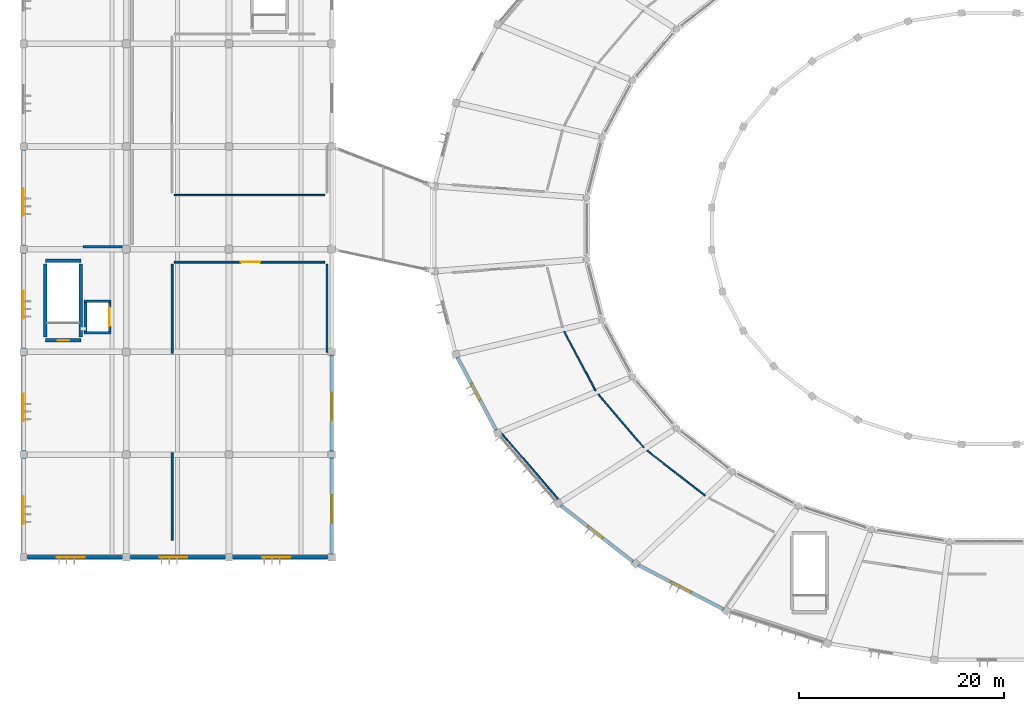
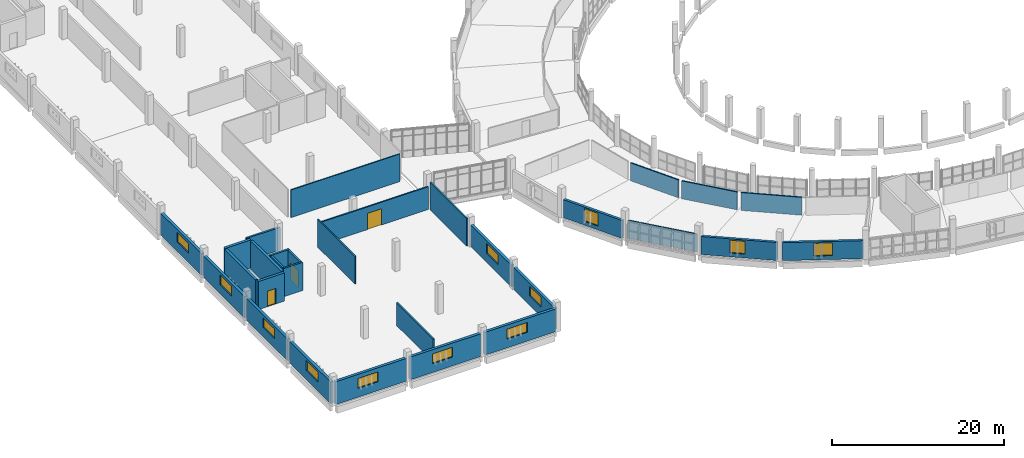
# One storey, part 95 of 142: 30 walls, 12 windows, 3 doors, 15 openings.
"""IFC4 building model written with IfcOpenShell, lengths in metres."""

from ifc_helpers import new_model, si_unit, direction, frame, frame_2d, origin, place, context, subcontext, project, spatial, rectangle, extrude, material, layer, layer_set, type_object, element, fill, save


model = new_model("IFC4")

# Units and contexts
model_context = context("Model", 3, precision=1e-05, world=origin(), true_north=direction((0.0, 1.0)))
body_context = subcontext(model_context, "Body", "Model", "MODEL_VIEW")
ifc_project = project(units=[si_unit("LENGTHUNIT", "METRE"), si_unit("AREAUNIT", "SQUARE_METRE"), si_unit("VOLUMEUNIT", "CUBIC_METRE"), si_unit("PLANEANGLEUNIT", "RADIAN"), si_unit("MASSUNIT", "GRAM", prefix="KILO")], contexts=[model_context])

# Site, building, storey
site_placement = place(None, origin())
site = spatial("IfcSite", under=ifc_project, at=site_placement, CompositionType="ELEMENT")
building_placement = place(site_placement, origin())
building = spatial("IfcBuilding", under=site, at=building_placement, Name="Corvandel Quay Wholesale Market", CompositionType="ELEMENT")
storey_placement = place(building_placement, frame((0.0, 0.0, 10.800048828125)))
storey = spatial("IfcBuildingStorey", under=building, at=storey_placement, Name="L02", CompositionType="ELEMENT", Elevation=10.800048828125)

# Wall, opening, door
ifc_material_1 = material(Name="Concrete C40/50", Category="concrete")
ifc_layer_1 = layer(ifc_material_1, 0.35009765625)
ifc_layer_set_1 = layer_set([ifc_layer_1], Name="Concrete C40/50")
wall_type_1 = type_object("IfcWallType", Name="Core Shear Wall SW01 350", PredefinedType="SHEAR", material=ifc_layer_set_1)
wall_1_placement = place(storey_placement, frame((22.125, 31.125, 0.0), z_axis=(0.0, 0.0, 1.0), x_axis=(1.0, 0.0, 0.0)))
wall_1 = element("IfcWall", 1, at=wall_1_placement, inside=storey, type_object=wall_type_1, Name="Shear Wall IW-0117", PredefinedType="SHEAR", context=body_context, shape_type="SweptSolid", body=[
    extrude(rectangle(XDim=3.449951171875, YDim=0.35009765625, at=frame_2d((1.72509765625, 0.0))), origin(), (0.0, 0.0, 1.0), 3.97998046875),
])
opening_1_placement = place(wall_1_placement, frame((1.199951171875, 0.0, 0.0)))
opening_1 = element("IfcOpeningElement", 2, at=opening_1_placement, cuts=wall_1, Name="Opening L02-D014", PredefinedType="OPENING", context=body_context, shape_type="SweptSolid", body=[
    extrude(rectangle(XDim=1.10009765625, YDim=2.199951171875, at=frame_2d((0.550048828125, 1.10009765625))), frame((0.0, 0.18505859375, 0.0), z_axis=(0.0, -1.0, 0.0), x_axis=(1.0, 0.0, 0.0)), (0.0, 0.0, 1.0), 0.3701171875),
])
ifc_material_2 = material(Name="Galvanised fire-rated hollow steel", Category="steel")
door_type_1 = type_object("IfcDoorType", Name="Exit Stair Fire Door ID02 1100x2200R", OperationType="SINGLE_SWING_RIGHT", PredefinedType="DOOR", material=ifc_material_2)
door_1_placement = place(opening_1_placement, origin())
door_1 = element("IfcDoor", 3, at=door_1_placement, inside=storey, type_object=door_type_1, Name="Exit Stair Door SH11-L02", OperationType="SINGLE_SWING_RIGHT", OverallHeight=2.199951171875, OverallWidth=1.10009765625, PredefinedType="DOOR", context=body_context, shape_type="SweptSolid", body=[
    extrude(rectangle(XDim=1.10009765625, YDim=2.199951171875, at=frame_2d((0.550048828125, 1.10009765625))), frame((0.0, 0.02490234375, 0.0), z_axis=(0.0, -1.0, 0.0), x_axis=(1.0, 0.0, 0.0)), (0.0, 0.0, 1.0), 0.050048828125),
])
fill(opening_1, door_1)

# Walls
wall_2_placement = place(storey_placement, frame((22.125, 38.875, 0.0), z_axis=(0.0, 0.0, 1.0), x_axis=(1.0, 0.0, 0.0)))
element("IfcWall", 4, at=wall_2_placement, inside=storey, type_object=wall_type_1, Name="Shear Wall IW-0118", PredefinedType="SHEAR", context=body_context, shape_type="SweptSolid", body=[
    extrude(rectangle(XDim=3.449951171875, YDim=0.35009765625, at=frame_2d((1.72509765625, 0.0))), origin(), (0.0, 0.0, 1.0), 3.97998046875),
])
for number, where, z_axis, x_axis, name in (
    (5, (22.125, 31.43994140625, 0.0), (0.0, 0.0, 1.0), (0.0, 1.0, 0.0), "Shear Wall IW-0119"),
    (6, (25.574951171875, 31.43994140625, 0.0), (0.0, 0.0, 1.0), (0.0, 1.0, 0.0), "Shear Wall IW-0120"),
):
    element("IfcWall", number, at=place(storey_placement, frame(where, z_axis=z_axis, x_axis=x_axis)), inside=storey, type_object=wall_type_1, Name=name, PredefinedType="SHEAR", context=body_context, shape_type="SweptSolid", body=[
        extrude(rectangle(XDim=7.1201171875, YDim=0.35009765625, at=frame_2d((3.56005859375, 0.0))), origin(), (0.0, 0.0, 1.0), 3.97998046875),
    ])
ifc_material_3 = material(Name="Lightweight concrete blockwork", Category="masonry")
ifc_layer_2 = layer(ifc_material_3, 0.239990234375)
ifc_layer_set_2 = layer_set([ifc_layer_2], Name="Lightweight concrete blockwork")
wall_type_2 = type_object("IfcWallType", Name="Fire Compartment Partition PT01 240", PredefinedType="PARTITIONING", material=ifc_layer_set_2)
wall_3_placement = place(storey_placement, frame((30.320068359375, 40.260009765625, 0.0), z_axis=(0.0, 0.0, 1.0), x_axis=(-1.0, 0.0, 0.0)))
element("IfcWall", 7, at=wall_3_placement, inside=storey, type_object=wall_type_2, Name="Interior Wall IW-0834", PredefinedType="PARTITIONING", context=body_context, shape_type="SweptSolid", body=[
    extrude(rectangle(XDim=4.525146484375, YDim=0.239990234375, at=frame_2d((2.2626953125, 0.0))), origin(), (0.0, 0.0, 1.0), 3.22998046875),
])
ifc_material_4 = material(Name="FRP-faced cementitious board stud wall")
ifc_layer_3 = layer(ifc_material_4, 0.179931640625)
ifc_layer_set_3 = layer_set([ifc_layer_3], Name="FRP-faced cementitious board stud wall")
wall_type_3 = type_object("IfcWallType", Name="Hygienic Washdown Partition PT05 180", PredefinedType="PARTITIONING", material=ifc_layer_set_3)
wall_4_placement = place(storey_placement, frame((34.4599609375, 11.669921875, 0.0), z_axis=(0.0, 0.0, 1.0), x_axis=(0.0, 1.0, 0.0)))
element("IfcWall", 8, at=wall_4_placement, inside=storey, type_object=wall_type_3, Name="Interior Wall IW-0837", PredefinedType="PARTITIONING", context=body_context, shape_type="SweptSolid", body=[
    extrude(rectangle(XDim=8.513916015625, YDim=0.179931640625, at=frame_2d((4.2568359375, 0.0))), origin(), (0.0, 0.0, 1.0), 3.22998046875),
])
wall_5_placement = place(storey_placement, frame((34.4599609375, 29.84619140625, 0.0), z_axis=(0.0, 0.0, 1.0), x_axis=(0.0, 1.0, 0.0)))
element("IfcWall", 9, at=wall_5_placement, inside=storey, type_object=wall_type_3, Name="Interior Wall IW-0838", PredefinedType="PARTITIONING", context=body_context, shape_type="SweptSolid", body=[
    extrude(rectangle(XDim=8.673828125, YDim=0.179931640625, at=frame_2d((4.3369140625, 0.0))), origin(), (0.0, 0.0, 1.0), 3.919921875),
])

# Wall, opening, door
wall_6_placement = place(storey_placement, frame((34.679931640625, 38.739990234375, 0.0), z_axis=(0.0, 0.0, 1.0), x_axis=(1.0, 0.0, 0.0)))
wall_6 = element("IfcWall", 10, at=wall_6_placement, inside=storey, type_object=wall_type_3, Name="Interior Wall IW-0839", PredefinedType="PARTITIONING", context=body_context, shape_type="SweptSolid", body=[
    extrude(rectangle(XDim=14.64013671875, YDim=0.179931640625, at=frame_2d((7.320068359375, 0.0))), origin(), (0.0, 0.0, 1.0), 3.22998046875),
])
opening_2_placement = place(wall_6_placement, frame((6.469970703125, 0.0, 0.0)))
opening_2 = element("IfcOpeningElement", 11, at=opening_2_placement, cuts=wall_6, Name="Opening L02-D045", PredefinedType="OPENING", context=body_context, shape_type="SweptSolid", body=[
    extrude(rectangle(XDim=1.89990234375, YDim=2.300048828125, at=frame_2d((0.949951171875, 1.14990234375))), frame((0.0, 0.099853515625, 0.0), z_axis=(0.0, -1.0, 0.0), x_axis=(1.0, 0.0, 0.0)), (0.0, 0.0, 1.0), 0.199951171875),
])
ifc_material_5 = material(Name="Brushed stainless steel hygienic leaf", Category="steel")
door_type_2 = type_object("IfcDoorType", Name="Canteen Kitchen Double Door ID17 1900x2300", OperationType="DOUBLE_DOOR_SINGLE_SWING", PredefinedType="DOOR", material=ifc_material_5)
door_2_placement = place(opening_2_placement, origin())
door_2 = element("IfcDoor", 12, at=door_2_placement, inside=storey, type_object=door_type_2, Name="Automated Crate Wash Hall Door", OperationType="DOUBLE_DOOR_SINGLE_SWING", OverallHeight=2.300048828125, OverallWidth=1.89990234375, PredefinedType="DOOR", context=body_context, shape_type="SweptSolid", body=[
    extrude(rectangle(XDim=1.89990234375, YDim=2.300048828125, at=frame_2d((0.949951171875, 1.14990234375))), frame((0.0, 0.02490234375, 0.0), z_axis=(0.0, -1.0, 0.0), x_axis=(1.0, 0.0, 0.0)), (0.0, 0.0, 1.0), 0.050048828125),
])
fill(opening_2, door_2)

# Walls
wall_7_placement = place(storey_placement, frame((49.5400390625, 38.52001953125, 0.0), z_axis=(0.0, 0.0, 1.0), x_axis=(0.0, -1.0, 0.0)))
element("IfcWall", 13, at=wall_7_placement, inside=storey, type_object=wall_type_3, Name="Interior Wall IW-0840", PredefinedType="PARTITIONING", context=body_context, shape_type="SweptSolid", body=[
    extrude(rectangle(XDim=8.5400390625, YDim=0.179931640625, at=frame_2d((4.27001953125, 0.0))), origin(), (0.0, 0.0, 1.0), 3.919921875),
])
ifc_layer_4 = layer(ifc_material_1, 0.25)
ifc_layer_set_4 = layer_set([ifc_layer_4], Name="Concrete C40/50")
wall_type_4 = type_object("IfcWallType", Name="Lift Shaft Shear Wall SW03 250", PredefinedType="SHEAR", material=ifc_layer_set_4)
for number, where, z_axis, x_axis, name in (
    (14, (25.89990234375, 31.875, 0.0), (0.0, 0.0, 1.0), (1.0, 0.0, 0.0), "Shear Wall IW-0305"),
    (15, (25.89990234375, 34.925048828125, 0.0), (0.0, 0.0, 1.0), (1.0, 0.0, 0.0), "Shear Wall IW-0306"),
):
    element("IfcWall", number, at=place(storey_placement, frame(where, z_axis=z_axis, x_axis=x_axis)), inside=storey, type_object=wall_type_4, Name=name, PredefinedType="SHEAR", context=body_context, shape_type="SweptSolid", body=[
        extrude(rectangle(XDim=2.60009765625, YDim=0.25, at=frame_2d((1.300048828125, 0.0))), origin(), (0.0, 0.0, 1.0), 3.97998046875),
    ])
wall_8_placement = place(storey_placement, frame((26.02490234375, 31.989990234375, 0.0), z_axis=(0.0, 0.0, 1.0), x_axis=(0.0, 1.0, 0.0)))
element("IfcWall", 16, at=wall_8_placement, inside=storey, type_object=wall_type_4, Name="Shear Wall IW-0307", PredefinedType="SHEAR", context=body_context, shape_type="SweptSolid", body=[
    extrude(rectangle(XDim=2.820068359375, YDim=0.25, at=frame_2d((1.41015625, 0.0))), origin(), (0.0, 0.0, 1.0), 3.97998046875),
])

# Wall, opening, door
wall_9_placement = place(storey_placement, frame((28.375, 31.989990234375, 0.0), z_axis=(0.0, 0.0, 1.0), x_axis=(0.0, 1.0, 0.0)))
wall_9 = element("IfcWall", 17, at=wall_9_placement, inside=storey, type_object=wall_type_4, Name="Shear Wall IW-0308", PredefinedType="SHEAR", context=body_context, shape_type="SweptSolid", body=[
    extrude(rectangle(XDim=2.820068359375, YDim=0.25, at=frame_2d((1.41015625, 0.0))), origin(), (0.0, 0.0, 1.0), 3.97998046875),
])
opening_3_placement = place(wall_9_placement, frame((0.510009765625, 0.0, 0.0)))
opening_3 = element("IfcOpeningElement", 18, at=opening_3_placement, cuts=wall_9, Name="Opening LD-L02-026", PredefinedType="OPENING", context=body_context, shape_type="SweptSolid", body=[
    extrude(rectangle(XDim=1.800048828125, YDim=2.39990234375, at=frame_2d((0.89990234375, 1.199951171875))), frame((0.0, 0.135009765625, 0.0), z_axis=(0.0, -1.0, 0.0), x_axis=(1.0, 0.0, 0.0)), (0.0, 0.0, 1.0), 0.27001953125),
])
ifc_material_6 = material(Name="Heavy-duty brushed stainless steel", Category="steel")
door_type_3 = type_object("IfcDoorType", Name="Goods Lift Landing Door LD02 1800x2400", OperationType="DOUBLE_DOOR_SLIDING", PredefinedType="DOOR", material=ifc_material_6)
door_3_placement = place(opening_3_placement, origin())
door_3 = element("IfcDoor", 19, at=door_3_placement, inside=storey, type_object=door_type_3, Name="Lift Landing Door LF-V4F1-L02", OperationType="DOUBLE_DOOR_SLIDING", OverallHeight=2.39990234375, OverallWidth=1.800048828125, PredefinedType="DOOR", context=body_context, shape_type="SweptSolid", body=[
    extrude(rectangle(XDim=1.800048828125, YDim=2.39990234375, at=frame_2d((0.89990234375, 1.199951171875))), frame((0.0, 0.02490234375, 0.0), z_axis=(0.0, -1.0, 0.0), x_axis=(1.0, 0.0, 0.0)), (0.0, 0.0, 1.0), 0.050048828125),
])
fill(opening_3, door_3)

# Walls
ifc_material_7 = material(Name="Double-layer acoustic gypsum stud partition")
ifc_layer_5 = layer(ifc_material_7, 0.139892578125)
ifc_layer_set_5 = layer_set([ifc_layer_5], Name="Double-layer acoustic gypsum stud partition")
wall_type_5 = type_object("IfcWallType", Name="Office Acoustic Partition PT07 140", PredefinedType="PARTITIONING", material=ifc_layer_set_5)
wall_10_placement = place(storey_placement, frame((72.105712890625, 15.597900390625, 0.0), z_axis=(0.0, 0.0, 1.0), x_axis=(-0.651588761732, 0.758572399699, 0.0)))
element("IfcWall", 20, at=wall_10_placement, inside=storey, type_object=wall_type_5, Name="Interior Wall IW-0545", PredefinedType="PARTITIONING", context=body_context, shape_type="SweptSolid", body=[
    extrude(rectangle(XDim=8.569091796875, YDim=0.139892578125, at=frame_2d((4.28466796875, 0.0))), origin(), (0.0, 0.0, 1.0), 2.550048828125),
])
wall_11_placement = place(storey_placement, frame((72.628662109375, 31.976806640625, 0.0), z_axis=(0.0, 0.0, 1.0), x_axis=(0.470840715861, -0.882218238469, 0.0)))
element("IfcWall", 21, at=wall_11_placement, inside=storey, type_object=wall_type_5, Name="Interior Wall IW-0548", PredefinedType="PARTITIONING", context=body_context, shape_type="SweptSolid", body=[
    extrude(rectangle(XDim=6.52392578125, YDim=0.139892578125, at=frame_2d((3.261962890625, 0.0))), origin(), (0.0, 0.0, 1.0), 2.550048828125),
])
wall_12_placement = place(storey_placement, frame((75.947509765625, 25.860107421875, 0.0), z_axis=(0.0, 0.0, 1.0), x_axis=(0.652050390633, -0.758175631418, 0.0)))
element("IfcWall", 22, at=wall_12_placement, inside=storey, type_object=wall_type_5, Name="Interior Wall IW-0549", PredefinedType="PARTITIONING", context=body_context, shape_type="SweptSolid", body=[
    extrude(rectangle(XDim=6.81396484375, YDim=0.139892578125, at=frame_2d((3.406982421875, 0.0))), origin(), (0.0, 0.0, 1.0), 2.550048828125),
])
wall_13_placement = place(storey_placement, frame((80.707763671875, 20.39208984375, 0.0), z_axis=(0.0, 0.0, 1.0), x_axis=(0.789524972824, -0.61371843486, 0.0)))
element("IfcWall", 23, at=wall_13_placement, inside=storey, type_object=wall_type_5, Name="Interior Wall IW-0550", PredefinedType="PARTITIONING", context=body_context, shape_type="SweptSolid", body=[
    extrude(rectangle(XDim=7.15185546875, YDim=0.139892578125, at=frame_2d((3.575927734375, 0.0))), origin(), (0.0, 0.0, 1.0), 2.550048828125),
])
wall_14_placement = place(storey_placement, frame((49.320068359375, 45.260009765625, 0.0), z_axis=(0.0, 0.0, 1.0), x_axis=(-1.0, 0.0, 0.0)))
element("IfcWall", 24, at=wall_14_placement, inside=storey, type_object=wall_type_5, Name="Interior Wall IW-0845", PredefinedType="PARTITIONING", context=body_context, shape_type="SweptSolid", body=[
    extrude(rectangle(XDim=14.64013671875, YDim=0.139892578125, at=frame_2d((7.320068359375, 0.0))), origin(), (0.0, 0.0, 1.0), 3.919921875),
])

# Wall, opening, window
ifc_material_8 = material(Name="Insulated precast concrete C45/55", Category="concrete")
ifc_layer_6 = layer(ifc_material_8, 0.360107421875)
ifc_layer_set_6 = layer_set([ifc_layer_6], Name="Insulated precast concrete C45/55")
wall_type_6 = type_object("IfcWallType", Name="Ripening Gas-Tight Envelope Wall EW04 360", PredefinedType="SOLIDWALL", material=ifc_layer_set_6)
wall_15_placement = place(storey_placement, frame((20.0, 10.239990234375, 0.0), z_axis=(0.0, 0.0, 1.0), x_axis=(0.0, 1.0, 0.0)))
wall_15 = element("IfcWall", 25, at=wall_15_placement, inside=storey, type_object=wall_type_6, Name="Exterior Wall EW-0227", PredefinedType="SOLIDWALL", context=body_context, shape_type="SweptSolid", body=[
    extrude(rectangle(XDim=9.52001953125, YDim=0.360107421875, at=frame_2d((4.760009765625, 0.0))), origin(), (0.0, 0.0, 1.0), 3.079833984375),
])
opening_4_placement = place(wall_15_placement, frame((3.0, 0.0, 1.300048828125)))
opening_4 = element("IfcOpeningElement", 26, at=opening_4_placement, cuts=wall_15, Name="Opening L02-W039", PredefinedType="OPENING", context=body_context, shape_type="SweptSolid", body=[
    extrude(rectangle(XDim=2.699951171875, YDim=1.39990234375, at=frame_2d((1.35009765625, 0.699951171875))), frame((0.0, 0.18994140625, 0.0), z_axis=(0.0, -1.0, 0.0), x_axis=(1.0, 0.0, 0.0)), (0.0, 0.0, 1.0), 0.380126953125),
])
ifc_material_9 = material(Name="Thermally broken bronze anodised aluminium and solar-control low-E double glazing", Category="aluminium")
window_type_1 = type_object("IfcWindowType", Name="Plant Louvred Clerestory Window WN16 2700x1400", PartitioningType="SINGLE_PANEL", PredefinedType="WINDOW", material=ifc_material_9)
window_1_placement = place(opening_4_placement, origin())
window_1 = element("IfcWindow", 27, at=window_1_placement, inside=storey, type_object=window_type_1, Name="Window L02-W039", OverallHeight=1.39990234375, OverallWidth=2.699951171875, PartitioningType="SINGLE_PANEL", PredefinedType="WINDOW", context=body_context, shape_type="SweptSolid", body=[
    extrude(rectangle(XDim=2.699951171875, YDim=1.39990234375, at=frame_2d((1.35009765625, 0.699951171875))), frame((0.0, 0.030029296875, 0.0), z_axis=(0.0, -1.0, 0.0), x_axis=(1.0, 0.0, 0.0)), (0.0, 0.0, 1.0), 0.06005859375),
])
fill(opening_4, window_1)

wall_16_placement = place(storey_placement, frame((50.0, 10.239990234375, 0.0), z_axis=(0.0, 0.0, 1.0), x_axis=(0.0, 1.0, 0.0)))
wall_16 = element("IfcWall", 28, at=wall_16_placement, inside=storey, type_object=wall_type_6, Name="Exterior Wall EW-0231", PredefinedType="SOLIDWALL", context=body_context, shape_type="SweptSolid", body=[
    extrude(rectangle(XDim=9.52001953125, YDim=0.360107421875, at=frame_2d((4.760009765625, 0.0))), origin(), (0.0, 0.0, 1.0), 3.079833984375),
])
opening_5_placement = place(wall_16_placement, frame((3.10009765625, 0.0, 1.300048828125)))
opening_5 = element("IfcOpeningElement", 29, at=opening_5_placement, cuts=wall_16, Name="Opening L02-W040", PredefinedType="OPENING", context=body_context, shape_type="SweptSolid", body=[
    extrude(rectangle(XDim=2.699951171875, YDim=1.39990234375, at=frame_2d((1.35009765625, 0.699951171875))), frame((0.0, 0.18994140625, 0.0), z_axis=(0.0, -1.0, 0.0), x_axis=(1.0, 0.0, 0.0)), (0.0, 0.0, 1.0), 0.380126953125),
])
window_2_placement = place(opening_5_placement, origin())
window_2 = element("IfcWindow", 30, at=window_2_placement, inside=storey, type_object=window_type_1, Name="Window L02-W040", OverallHeight=1.39990234375, OverallWidth=2.699951171875, PartitioningType="SINGLE_PANEL", PredefinedType="WINDOW", context=body_context, shape_type="SweptSolid", body=[
    extrude(rectangle(XDim=2.699951171875, YDim=1.39990234375, at=frame_2d((1.35009765625, 0.699951171875))), frame((0.0, 0.030029296875, 0.0), z_axis=(0.0, -1.0, 0.0), x_axis=(1.0, 0.0, 0.0)), (0.0, 0.0, 1.0), 0.06005859375),
])
fill(opening_5, window_2)

wall_17_placement = place(storey_placement, frame((20.0, 20.239990234375, 0.0), z_axis=(0.0, 0.0, 1.0), x_axis=(0.0, 1.0, 0.0)))
wall_17 = element("IfcWall", 31, at=wall_17_placement, inside=storey, type_object=wall_type_6, Name="Exterior Wall EW-0234", PredefinedType="SOLIDWALL", context=body_context, shape_type="SweptSolid", body=[
    extrude(rectangle(XDim=9.52001953125, YDim=0.360107421875, at=frame_2d((4.760009765625, 0.0))), origin(), (0.0, 0.0, 1.0), 3.079833984375),
])
opening_6_placement = place(wall_17_placement, frame((3.0, 0.0, 1.300048828125)))
opening_6 = element("IfcOpeningElement", 32, at=opening_6_placement, cuts=wall_17, Name="Opening L02-W041", PredefinedType="OPENING", context=body_context, shape_type="SweptSolid", body=[
    extrude(rectangle(XDim=2.699951171875, YDim=1.39990234375, at=frame_2d((1.35009765625, 0.699951171875))), frame((0.0, 0.18994140625, 0.0), z_axis=(0.0, -1.0, 0.0), x_axis=(1.0, 0.0, 0.0)), (0.0, 0.0, 1.0), 0.380126953125),
])
window_3_placement = place(opening_6_placement, origin())
window_3 = element("IfcWindow", 33, at=window_3_placement, inside=storey, type_object=window_type_1, Name="Window L02-W041", OverallHeight=1.39990234375, OverallWidth=2.699951171875, PartitioningType="SINGLE_PANEL", PredefinedType="WINDOW", context=body_context, shape_type="SweptSolid", body=[
    extrude(rectangle(XDim=2.699951171875, YDim=1.39990234375, at=frame_2d((1.35009765625, 0.699951171875))), frame((0.0, 0.030029296875, 0.0), z_axis=(0.0, -1.0, 0.0), x_axis=(1.0, 0.0, 0.0)), (0.0, 0.0, 1.0), 0.06005859375),
])
fill(opening_6, window_3)

wall_18_placement = place(storey_placement, frame((50.0, 20.239990234375, 0.0), z_axis=(0.0, 0.0, 1.0), x_axis=(0.0, 1.0, 0.0)))
wall_18 = element("IfcWall", 34, at=wall_18_placement, inside=storey, type_object=wall_type_6, Name="Exterior Wall EW-0238", PredefinedType="SOLIDWALL", context=body_context, shape_type="SweptSolid", body=[
    extrude(rectangle(XDim=9.52001953125, YDim=0.360107421875, at=frame_2d((4.760009765625, 0.0))), origin(), (0.0, 0.0, 1.0), 3.079833984375),
])
opening_7_placement = place(wall_18_placement, frame((3.10009765625, 0.0, 1.300048828125)))
opening_7 = element("IfcOpeningElement", 35, at=opening_7_placement, cuts=wall_18, Name="Opening L02-W042", PredefinedType="OPENING", context=body_context, shape_type="SweptSolid", body=[
    extrude(rectangle(XDim=2.699951171875, YDim=1.39990234375, at=frame_2d((1.35009765625, 0.699951171875))), frame((0.0, 0.18994140625, 0.0), z_axis=(0.0, -1.0, 0.0), x_axis=(1.0, 0.0, 0.0)), (0.0, 0.0, 1.0), 0.380126953125),
])
window_4_placement = place(opening_7_placement, origin())
window_4 = element("IfcWindow", 36, at=window_4_placement, inside=storey, type_object=window_type_1, Name="Window L02-W042", OverallHeight=1.39990234375, OverallWidth=2.699951171875, PartitioningType="SINGLE_PANEL", PredefinedType="WINDOW", context=body_context, shape_type="SweptSolid", body=[
    extrude(rectangle(XDim=2.699951171875, YDim=1.39990234375, at=frame_2d((1.35009765625, 0.699951171875))), frame((0.0, 0.030029296875, 0.0), z_axis=(0.0, -1.0, 0.0), x_axis=(1.0, 0.0, 0.0)), (0.0, 0.0, 1.0), 0.06005859375),
])
fill(opening_7, window_4)

wall_19_placement = place(storey_placement, frame((20.0, 30.239990234375, 0.0), z_axis=(0.0, 0.0, 1.0), x_axis=(0.0, 1.0, 0.0)))
wall_19 = element("IfcWall", 37, at=wall_19_placement, inside=storey, type_object=wall_type_6, Name="Exterior Wall EW-0241", PredefinedType="SOLIDWALL", context=body_context, shape_type="SweptSolid", body=[
    extrude(rectangle(XDim=9.52001953125, YDim=0.360107421875, at=frame_2d((4.760009765625, 0.0))), origin(), (0.0, 0.0, 1.0), 3.079833984375),
])
opening_8_placement = place(wall_19_placement, frame((3.0, 0.0, 1.300048828125)))
opening_8 = element("IfcOpeningElement", 38, at=opening_8_placement, cuts=wall_19, Name="Opening L02-W043", PredefinedType="OPENING", context=body_context, shape_type="SweptSolid", body=[
    extrude(rectangle(XDim=2.699951171875, YDim=1.39990234375, at=frame_2d((1.35009765625, 0.699951171875))), frame((0.0, 0.18994140625, 0.0), z_axis=(0.0, -1.0, 0.0), x_axis=(1.0, 0.0, 0.0)), (0.0, 0.0, 1.0), 0.380126953125),
])
window_5_placement = place(opening_8_placement, origin())
window_5 = element("IfcWindow", 39, at=window_5_placement, inside=storey, type_object=window_type_1, Name="Window L02-W043", OverallHeight=1.39990234375, OverallWidth=2.699951171875, PartitioningType="SINGLE_PANEL", PredefinedType="WINDOW", context=body_context, shape_type="SweptSolid", body=[
    extrude(rectangle(XDim=2.699951171875, YDim=1.39990234375, at=frame_2d((1.35009765625, 0.699951171875))), frame((0.0, 0.030029296875, 0.0), z_axis=(0.0, -1.0, 0.0), x_axis=(1.0, 0.0, 0.0)), (0.0, 0.0, 1.0), 0.06005859375),
])
fill(opening_8, window_5)

wall_20_placement = place(storey_placement, frame((20.0, 40.239990234375, 0.0), z_axis=(0.0, 0.0, 1.0), x_axis=(0.0, 1.0, 0.0)))
wall_20 = element("IfcWall", 40, at=wall_20_placement, inside=storey, type_object=wall_type_6, Name="Exterior Wall EW-0245", PredefinedType="SOLIDWALL", context=body_context, shape_type="SweptSolid", body=[
    extrude(rectangle(XDim=9.52001953125, YDim=0.360107421875, at=frame_2d((4.760009765625, 0.0))), origin(), (0.0, 0.0, 1.0), 3.079833984375),
])
opening_9_placement = place(wall_20_placement, frame((3.0, 0.0, 1.300048828125)))
opening_9 = element("IfcOpeningElement", 41, at=opening_9_placement, cuts=wall_20, Name="Opening L02-W044", PredefinedType="OPENING", context=body_context, shape_type="SweptSolid", body=[
    extrude(rectangle(XDim=2.699951171875, YDim=1.39990234375, at=frame_2d((1.35009765625, 0.699951171875))), frame((0.0, 0.18994140625, 0.0), z_axis=(0.0, -1.0, 0.0), x_axis=(1.0, 0.0, 0.0)), (0.0, 0.0, 1.0), 0.380126953125),
])
window_6_placement = place(opening_9_placement, origin())
window_6 = element("IfcWindow", 42, at=window_6_placement, inside=storey, type_object=window_type_1, Name="Window L02-W044", OverallHeight=1.39990234375, OverallWidth=2.699951171875, PartitioningType="SINGLE_PANEL", PredefinedType="WINDOW", context=body_context, shape_type="SweptSolid", body=[
    extrude(rectangle(XDim=2.699951171875, YDim=1.39990234375, at=frame_2d((1.35009765625, 0.699951171875))), frame((0.0, 0.030029296875, 0.0), z_axis=(0.0, -1.0, 0.0), x_axis=(1.0, 0.0, 0.0)), (0.0, 0.0, 1.0), 0.06005859375),
])
fill(opening_9, window_6)

wall_21_placement = place(storey_placement, frame((20.239990234375, 10.0, 0.0), z_axis=(0.0, 0.0, 1.0), x_axis=(1.0, 0.0, 0.0)))
wall_21 = element("IfcWall", 43, at=wall_21_placement, inside=storey, type_object=wall_type_6, Name="Exterior Wall EW-0310", PredefinedType="SOLIDWALL", context=body_context, shape_type="SweptSolid", body=[
    extrude(rectangle(XDim=9.52001953125, YDim=0.360107421875, at=frame_2d((4.760009765625, 0.0))), origin(), (0.0, 0.0, 1.0), 3.22998046875),
])
opening_10_placement = place(wall_21_placement, frame((3.0, 0.0, 1.25)))
opening_10 = element("IfcOpeningElement", 44, at=opening_10_placement, cuts=wall_21, Name="Opening L02-W059", PredefinedType="OPENING", context=body_context, shape_type="SweptSolid", body=[
    extrude(rectangle(XDim=2.699951171875, YDim=1.39990234375, at=frame_2d((1.35009765625, 0.699951171875))), frame((0.0, 0.18994140625, 0.0), z_axis=(0.0, -1.0, 0.0), x_axis=(1.0, 0.0, 0.0)), (0.0, 0.0, 1.0), 0.380126953125),
])
window_7_placement = place(opening_10_placement, origin())
window_7 = element("IfcWindow", 45, at=window_7_placement, inside=storey, type_object=window_type_1, Name="Window L02-W059", OverallHeight=1.39990234375, OverallWidth=2.699951171875, PartitioningType="SINGLE_PANEL", PredefinedType="WINDOW", context=body_context, shape_type="SweptSolid", body=[
    extrude(rectangle(XDim=2.699951171875, YDim=1.39990234375, at=frame_2d((1.35009765625, 0.699951171875))), frame((0.0, 0.030029296875, 0.0), z_axis=(0.0, -1.0, 0.0), x_axis=(1.0, 0.0, 0.0)), (0.0, 0.0, 1.0), 0.06005859375),
])
fill(opening_10, window_7)

wall_22_placement = place(storey_placement, frame((30.239990234375, 10.0, 0.0), z_axis=(0.0, 0.0, 1.0), x_axis=(1.0, 0.0, 0.0)))
wall_22 = element("IfcWall", 46, at=wall_22_placement, inside=storey, type_object=wall_type_6, Name="Exterior Wall EW-0318", PredefinedType="SOLIDWALL", context=body_context, shape_type="SweptSolid", body=[
    extrude(rectangle(XDim=9.52001953125, YDim=0.360107421875, at=frame_2d((4.760009765625, 0.0))), origin(), (0.0, 0.0, 1.0), 3.22998046875),
])
opening_11_placement = place(wall_22_placement, frame((3.0, 0.0, 1.25)))
opening_11 = element("IfcOpeningElement", 47, at=opening_11_placement, cuts=wall_22, Name="Opening L02-W061", PredefinedType="OPENING", context=body_context, shape_type="SweptSolid", body=[
    extrude(rectangle(XDim=2.699951171875, YDim=1.39990234375, at=frame_2d((1.35009765625, 0.699951171875))), frame((0.0, 0.18994140625, 0.0), z_axis=(0.0, -1.0, 0.0), x_axis=(1.0, 0.0, 0.0)), (0.0, 0.0, 1.0), 0.380126953125),
])
window_8_placement = place(opening_11_placement, origin())
window_8 = element("IfcWindow", 48, at=window_8_placement, inside=storey, type_object=window_type_1, Name="Window L02-W061", OverallHeight=1.39990234375, OverallWidth=2.699951171875, PartitioningType="SINGLE_PANEL", PredefinedType="WINDOW", context=body_context, shape_type="SweptSolid", body=[
    extrude(rectangle(XDim=2.699951171875, YDim=1.39990234375, at=frame_2d((1.35009765625, 0.699951171875))), frame((0.0, 0.030029296875, 0.0), z_axis=(0.0, -1.0, 0.0), x_axis=(1.0, 0.0, 0.0)), (0.0, 0.0, 1.0), 0.06005859375),
])
fill(opening_11, window_8)

wall_23_placement = place(storey_placement, frame((40.239990234375, 10.0, 0.0), z_axis=(0.0, 0.0, 1.0), x_axis=(1.0, 0.0, 0.0)))
wall_23 = element("IfcWall", 49, at=wall_23_placement, inside=storey, type_object=wall_type_6, Name="Exterior Wall EW-0326", PredefinedType="SOLIDWALL", context=body_context, shape_type="SweptSolid", body=[
    extrude(rectangle(XDim=9.52001953125, YDim=0.360107421875, at=frame_2d((4.760009765625, 0.0))), origin(), (0.0, 0.0, 1.0), 3.22998046875),
])
opening_12_placement = place(wall_23_placement, frame((3.0, 0.0, 1.25)))
opening_12 = element("IfcOpeningElement", 50, at=opening_12_placement, cuts=wall_23, Name="Opening L02-W062", PredefinedType="OPENING", context=body_context, shape_type="SweptSolid", body=[
    extrude(rectangle(XDim=2.699951171875, YDim=1.39990234375, at=frame_2d((1.35009765625, 0.699951171875))), frame((0.0, 0.18994140625, 0.0), z_axis=(0.0, -1.0, 0.0), x_axis=(1.0, 0.0, 0.0)), (0.0, 0.0, 1.0), 0.380126953125),
])
window_9_placement = place(opening_12_placement, origin())
window_9 = element("IfcWindow", 51, at=window_9_placement, inside=storey, type_object=window_type_1, Name="Window L02-W062", OverallHeight=1.39990234375, OverallWidth=2.699951171875, PartitioningType="SINGLE_PANEL", PredefinedType="WINDOW", context=body_context, shape_type="SweptSolid", body=[
    extrude(rectangle(XDim=2.699951171875, YDim=1.39990234375, at=frame_2d((1.35009765625, 0.699951171875))), frame((0.0, 0.030029296875, 0.0), z_axis=(0.0, -1.0, 0.0), x_axis=(1.0, 0.0, 0.0)), (0.0, 0.0, 1.0), 0.06005859375),
])
fill(opening_12, window_9)

ifc_material_10 = material(Name="Buff-pigmented precast concrete C45/55", Category="concrete")
ifc_layer_7 = layer(ifc_material_10, 0.320068359375)
ifc_layer_set_7 = layer_set([ifc_layer_7], Name="Buff-pigmented precast concrete C45/55")
wall_type_7 = type_object("IfcWallType", Name="Sandstone Buff Precast Wall EW02 320", PredefinedType="SOLIDWALL", material=ifc_layer_set_7)
wall_24_placement = place(storey_placement, frame((62.201904296875, 29.5107421875, 0.0), z_axis=(0.0, 0.0, 1.0), x_axis=(0.47010905891, -0.882608334841, 0.0)))
wall_24 = element("IfcWall", 52, at=wall_24_placement, inside=storey, type_object=wall_type_7, Name="Exterior Wall EW-0049", PredefinedType="SOLIDWALL", context=body_context, shape_type="SweptSolid", body=[
    extrude(rectangle(XDim=8.11962890625, YDim=0.320068359375, at=frame_2d((4.059814453125, 0.0))), origin(), (0.0, 0.0, 1.0), 2.550048828125),
])
opening_13_placement = place(wall_24_placement, frame((2.9599609375, 0.0, 0.550048828125)))
opening_13 = element("IfcOpeningElement", 53, at=opening_13_placement, cuts=wall_24, Name="Opening L02-W011", PredefinedType="OPENING", context=body_context, shape_type="SweptSolid", body=[
    extrude(rectangle(XDim=1.800048828125, YDim=1.800048828125, at=frame_2d((0.89990234375, 0.89990234375))), frame((0.0, 0.169921875, 0.0), z_axis=(0.0, -1.0, 0.0), x_axis=(1.0, 0.0, 0.0)), (0.0, 0.0, 1.0), 0.340087890625),
])
window_type_2 = type_object("IfcWindowType", Name="Brokers Corner Window WN04 1800x1800", PartitioningType="SINGLE_PANEL", PredefinedType="WINDOW", material=ifc_material_9)
window_10_placement = place(opening_13_placement, origin())
window_10 = element("IfcWindow", 54, at=window_10_placement, inside=storey, type_object=window_type_2, Name="Window L02-W011", OverallHeight=1.800048828125, OverallWidth=1.800048828125, PartitioningType="SINGLE_PANEL", PredefinedType="WINDOW", context=body_context, shape_type="SweptSolid", body=[
    extrude(rectangle(XDim=1.800048828125, YDim=1.800048828125, at=frame_2d((0.89990234375, 0.89990234375))), frame((0.0, 0.030029296875, 0.0), z_axis=(0.0, -1.0, 0.0), x_axis=(1.0, 0.0, 0.0)), (0.0, 0.0, 1.0), 0.06005859375),
])
fill(opening_13, window_10)

wall_25_placement = place(storey_placement, frame((72.26806640625, 15.061279296875, 0.0), z_axis=(0.0, 0.0, 1.0), x_axis=(0.789327357341, -0.613972575082, 0.0)))
wall_25 = element("IfcWall", 55, at=wall_25_placement, inside=storey, type_object=wall_type_7, Name="Exterior Wall EW-0054", PredefinedType="SOLIDWALL", context=body_context, shape_type="SweptSolid", body=[
    extrude(rectangle(XDim=8.98974609375, YDim=0.320068359375, at=frame_2d((4.494873046875, 0.0))), origin(), (0.0, 0.0, 1.0), 2.550048828125),
])
opening_14_placement = place(wall_25_placement, frame((3.39501953125, 0.0, 0.550048828125)))
opening_14 = element("IfcOpeningElement", 56, at=opening_14_placement, cuts=wall_25, Name="Opening L02-W012", PredefinedType="OPENING", context=body_context, shape_type="SweptSolid", body=[
    extrude(rectangle(XDim=1.800048828125, YDim=1.800048828125, at=frame_2d((0.89990234375, 0.89990234375))), frame((0.0, 0.169921875, 0.0), z_axis=(0.0, -1.0, 0.0), x_axis=(1.0, 0.0, 0.0)), (0.0, 0.0, 1.0), 0.340087890625),
])
window_11_placement = place(opening_14_placement, origin())
window_11 = element("IfcWindow", 57, at=window_11_placement, inside=storey, type_object=window_type_2, Name="Window L02-W012", OverallHeight=1.800048828125, OverallWidth=1.800048828125, PartitioningType="SINGLE_PANEL", PredefinedType="WINDOW", context=body_context, shape_type="SweptSolid", body=[
    extrude(rectangle(XDim=1.800048828125, YDim=1.800048828125, at=frame_2d((0.89990234375, 0.89990234375))), frame((0.0, 0.030029296875, 0.0), z_axis=(0.0, -1.0, 0.0), x_axis=(1.0, 0.0, 0.0)), (0.0, 0.0, 1.0), 0.06005859375),
])
fill(opening_14, window_11)

wall_26_placement = place(storey_placement, frame((79.816650390625, 9.25146484375, 0.0), z_axis=(0.0, 0.0, 1.0), x_axis=(0.887335924519, -0.461123581112, 0.0)))
wall_26 = element("IfcWall", 58, at=wall_26_placement, inside=storey, type_object=wall_type_7, Name="Exterior Wall EW-0057", PredefinedType="SOLIDWALL", context=body_context, shape_type="SweptSolid", body=[
    extrude(rectangle(XDim=9.4267578125, YDim=0.320068359375, at=frame_2d((4.71337890625, 0.0))), origin(), (0.0, 0.0, 1.0), 2.550048828125),
])
opening_15_placement = place(wall_26_placement, frame((3.613037109375, 0.0, 0.550048828125)))
opening_15 = element("IfcOpeningElement", 59, at=opening_15_placement, cuts=wall_26, Name="Opening L02-W013", PredefinedType="OPENING", context=body_context, shape_type="SweptSolid", body=[
    extrude(rectangle(XDim=2.199951171875, YDim=1.800048828125, at=frame_2d((1.10009765625, 0.89990234375))), frame((0.0, 0.169921875, 0.0), z_axis=(0.0, -1.0, 0.0), x_axis=(1.0, 0.0, 0.0)), (0.0, 0.0, 1.0), 0.340087890625),
])
window_type_3 = type_object("IfcWindowType", Name="Brokers Office Window WN03 2200x1800", PartitioningType="SINGLE_PANEL", PredefinedType="WINDOW", material=ifc_material_9)
window_12_placement = place(opening_15_placement, origin())
window_12 = element("IfcWindow", 60, at=window_12_placement, inside=storey, type_object=window_type_3, Name="Window L02-W013", OverallHeight=1.800048828125, OverallWidth=2.199951171875, PartitioningType="SINGLE_PANEL", PredefinedType="WINDOW", context=body_context, shape_type="SweptSolid", body=[
    extrude(rectangle(XDim=2.199951171875, YDim=1.800048828125, at=frame_2d((1.10009765625, 0.89990234375))), frame((0.0, 0.030029296875, 0.0), z_axis=(0.0, -1.0, 0.0), x_axis=(1.0, 0.0, 0.0)), (0.0, 0.0, 1.0), 0.06005859375),
])
fill(opening_15, window_12)

save(model, "model.ifc")
